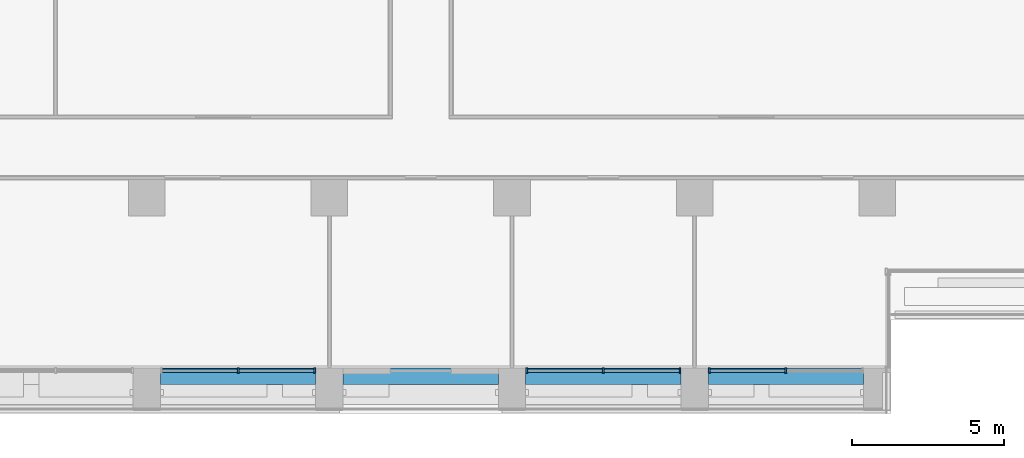
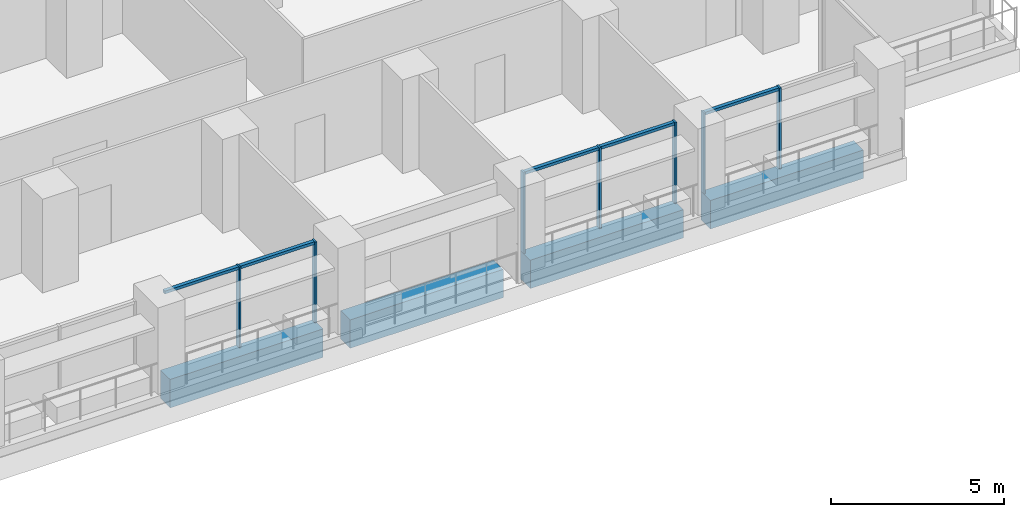
# One storey, part 3 of 19: 12 members, 4 beams, 3 elements without a shape of their own.
"""IFC4 building model written with IfcOpenShell, lengths in metres."""

from ifc_helpers import new_model, si_unit, direction, frame, origin, origin_2d, place, context, subcontext, project, spatial, rectangle, extrude, material, material_profile, profile_set, type_object, element, aggregate, save


model = new_model("IFC4")

# Units and contexts
model_context = context("Model", 3, precision=1e-05, world=origin(), true_north=direction((0.0, 1.0)))
body_context = subcontext(model_context, "Body", "Model", "MODEL_VIEW")
ifc_project = project(units=[si_unit("LENGTHUNIT", "METRE"), si_unit("AREAUNIT", "SQUARE_METRE"), si_unit("VOLUMEUNIT", "CUBIC_METRE"), si_unit("PLANEANGLEUNIT", "RADIAN"), si_unit("MASSUNIT", "GRAM", prefix="KILO")], contexts=[model_context])

# Site, building, storey
site_placement = place(None, origin())
site = spatial("IfcSite", under=ifc_project, at=site_placement, CompositionType="ELEMENT")
building_placement = place(site_placement, origin())
building = spatial("IfcBuilding", under=site, at=building_placement, Name="Calvaro Tower", CompositionType="ELEMENT")
storey_placement = place(building_placement, frame((0.0, 0.0, 166.75)))
storey = spatial("IfcBuildingStorey", under=building, at=storey_placement, Name="L41", CompositionType="ELEMENT", Elevation=166.75)

# Curtain wall, members
ifc_material_1 = material(Name="Anodised aluminium", Category="aluminium")
curtain_wall_type = type_object("IfcCurtainWallType", Name="Office curtain wall, upper zone", PredefinedType="NOTDEFINED", material=ifc_material_1)
curtain_wall_1_placement = place(storey_placement, origin())
curtain_wall_1 = element("IfcCurtainWall", 1, at=curtain_wall_1_placement, inside=storey, type_object=curtain_wall_type, Name="CW3 south curtain wall", PredefinedType="NOTDEFINED")
ifc_material_2 = material(Name="Anodised aluminium", Category="aluminium")
ifc_material_profile_1 = material_profile(ifc_material_2, rectangle(XDim=0.179931640625, YDim=0.06005859375, at=origin_2d()), Name="Mullion S3 60 x 180")
ifc_profile_set_1 = profile_set([ifc_material_profile_1], Name="Anodised aluminium")
member_type_1 = type_object("IfcMemberType", Name="Mullion S3 60 x 180", PredefinedType="MULLION", material=ifc_profile_set_1)
member_1_placement = place(storey_placement, frame((45.0, 4.31005859375, 0.0), z_axis=(0.0, 0.0, 1.0), x_axis=(0.0, 1.0, 0.0)))
member_1 = element("IfcMember", 2, at=member_1_placement, type_object=member_type_1, Name="CW3 mullion 2", PredefinedType="MULLION", context=body_context, shape_type="SweptSolid", body=[
    extrude(rectangle(XDim=0.179931640625, YDim=0.06005859375, at=origin_2d()), origin(), (0.0, 0.0, 1.0), 2.85009765625),
])
member_2_placement = place(storey_placement, frame((47.52001953125, 4.31005859375, 0.0), z_axis=(0.0, 0.0, 1.0), x_axis=(0.0, 1.0, 0.0)))
member_2 = element("IfcMember", 3, at=member_2_placement, type_object=member_type_1, Name="CW3 mullion 3", PredefinedType="MULLION", context=body_context, shape_type="SweptSolid", body=[
    extrude(rectangle(XDim=0.179931640625, YDim=0.06005859375, at=origin_2d()), origin(), (0.0, 0.0, 1.0), 2.85009765625),
])

curtain_wall_2_placement = place(storey_placement, origin())
curtain_wall_2 = element("IfcCurtainWall", 4, at=curtain_wall_2_placement, inside=storey, type_object=curtain_wall_type, Name="CW3 south curtain wall", PredefinedType="NOTDEFINED")
member_3_placement = place(storey_placement, frame((54.47998046875, 4.31005859375, 0.0), z_axis=(0.0, 0.0, 1.0), x_axis=(0.0, 1.0, 0.0)))
member_3 = element("IfcMember", 5, at=member_3_placement, type_object=member_type_1, Name="CW3 mullion 1", PredefinedType="MULLION", context=body_context, shape_type="SweptSolid", body=[
    extrude(rectangle(XDim=0.179931640625, YDim=0.06005859375, at=origin_2d()), origin(), (0.0, 0.0, 1.0), 2.85009765625),
])
member_4_placement = place(storey_placement, frame((57.0, 4.31005859375, 0.0), z_axis=(0.0, 0.0, 1.0), x_axis=(0.0, 1.0, 0.0)))
member_4 = element("IfcMember", 6, at=member_4_placement, type_object=member_type_1, Name="CW3 mullion 2", PredefinedType="MULLION", context=body_context, shape_type="SweptSolid", body=[
    extrude(rectangle(XDim=0.179931640625, YDim=0.06005859375, at=origin_2d()), origin(), (0.0, 0.0, 1.0), 2.85009765625),
])
member_5_placement = place(storey_placement, frame((59.52001953125, 4.31005859375, 0.0), z_axis=(0.0, 0.0, 1.0), x_axis=(0.0, 1.0, 0.0)))
member_5 = element("IfcMember", 7, at=member_5_placement, type_object=member_type_1, Name="CW3 mullion 3", PredefinedType="MULLION", context=body_context, shape_type="SweptSolid", body=[
    extrude(rectangle(XDim=0.179931640625, YDim=0.06005859375, at=origin_2d()), origin(), (0.0, 0.0, 1.0), 2.85009765625),
])

curtain_wall_3_placement = place(storey_placement, origin())
curtain_wall_3 = element("IfcCurtainWall", 8, at=curtain_wall_3_placement, inside=storey, type_object=curtain_wall_type, Name="CW3 south curtain wall", PredefinedType="NOTDEFINED")
member_6_placement = place(storey_placement, frame((60.47998046875, 4.31005859375, 0.0), z_axis=(0.0, 0.0, 1.0), x_axis=(0.0, 1.0, 0.0)))
member_6 = element("IfcMember", 9, at=member_6_placement, type_object=member_type_1, Name="CW3 mullion 1", PredefinedType="MULLION", context=body_context, shape_type="SweptSolid", body=[
    extrude(rectangle(XDim=0.179931640625, YDim=0.06005859375, at=origin_2d()), origin(), (0.0, 0.0, 1.0), 2.85009765625),
])
member_7_placement = place(storey_placement, frame((63.0, 4.31005859375, 0.0), z_axis=(0.0, 0.0, 1.0), x_axis=(0.0, 1.0, 0.0)))
member_7 = element("IfcMember", 10, at=member_7_placement, type_object=member_type_1, Name="CW3 mullion 2", PredefinedType="MULLION", context=body_context, shape_type="SweptSolid", body=[
    extrude(rectangle(XDim=0.179931640625, YDim=0.06005859375, at=origin_2d()), origin(), (0.0, 0.0, 1.0), 2.85009765625),
])

# Beams
ifc_material_3 = material(Name="Concrete C50/60 precast", Category="concrete")
ifc_material_profile_2 = material_profile(ifc_material_3, rectangle(XDim=0.550048828125, YDim=1.0, at=origin_2d()), Name="RC 550x1000")
ifc_profile_set_2 = profile_set([ifc_material_profile_2], Name="Concrete C50/60 precast")
beam_type = type_object("IfcBeamType", Name="Spandrel beam 550x1000 C50/60", PredefinedType="SPANDREL", material=ifc_profile_set_2)
for number, where, z_axis, x_axis, name in (
    (11, (42.449951171875, 4.125, -0.5), (1.0, 0.0, 0.0), (0.0, 1.0, 0.0), "Spandrel beam"),
    (12, (48.449951171875, 4.125, -0.5), (1.0, 0.0, 0.0), (0.0, 1.0, 0.0), "Spandrel beam"),
    (13, (54.449951171875, 4.125, -0.5), (1.0, 0.0, 0.0), (0.0, 1.0, 0.0), "Spandrel beam"),
    (14, (60.449951171875, 4.125, -0.5), (1.0, 0.0, 0.0), (0.0, 1.0, 0.0), "Spandrel beam"),
):
    element("IfcBeam", number, at=place(storey_placement, frame(where, z_axis=z_axis, x_axis=x_axis)), inside=storey, type_object=beam_type, Name=name, PredefinedType="SPANDREL", context=body_context, shape_type="SweptSolid", body=[
        extrude(rectangle(XDim=0.550048828125, YDim=1.0, at=origin_2d()), origin(), (0.0, 0.0, 1.0), 5.10009765625),
    ])

# Member
ifc_material_4 = material(Name="Anodised aluminium", Category="aluminium")
ifc_material_profile_3 = material_profile(ifc_material_4, rectangle(XDim=0.1201171875, YDim=0.10009765625, at=origin_2d()), Name="Transom S3 100 x 120")
ifc_profile_set_3 = profile_set([ifc_material_profile_3], Name="Anodised aluminium")
member_type_2 = type_object("IfcMemberType", Name="Transom S3 100 x 120", PredefinedType="USERDEFINED", material=ifc_profile_set_3)
member_8_placement = place(storey_placement, frame((42.510009765625, 4.31005859375, 2.800048828125), z_axis=(1.0, 0.0, 0.0), x_axis=(0.0, 1.0, 0.0)))
member_8 = element("IfcMember", 15, at=member_8_placement, type_object=member_type_2, Name="CW3 transom 1.1", ObjectType="TRANSOM", PredefinedType="USERDEFINED", context=body_context, shape_type="SweptSolid", body=[
    extrude(rectangle(XDim=0.1201171875, YDim=0.10009765625, at=origin_2d()), origin(), (0.0, 0.0, 1.0), 2.4599609375),
])

member_9_placement = place(storey_placement, frame((45.030029296875, 4.31005859375, 2.800048828125), z_axis=(1.0, 0.0, 0.0), x_axis=(0.0, 1.0, 0.0)))
member_9 = element("IfcMember", 16, at=member_9_placement, type_object=member_type_2, Name="CW3 transom 2.1", ObjectType="TRANSOM", PredefinedType="USERDEFINED", context=body_context, shape_type="SweptSolid", body=[
    extrude(rectangle(XDim=0.1201171875, YDim=0.10009765625, at=origin_2d()), origin(), (0.0, 0.0, 1.0), 2.4599609375),
])

aggregate(curtain_wall_1, [member_1, member_2, member_8, member_9])

member_10_placement = place(storey_placement, frame((54.510009765625, 4.31005859375, 2.800048828125), z_axis=(1.0, 0.0, 0.0), x_axis=(0.0, 1.0, 0.0)))
member_10 = element("IfcMember", 17, at=member_10_placement, type_object=member_type_2, Name="CW3 transom 1.1", ObjectType="TRANSOM", PredefinedType="USERDEFINED", context=body_context, shape_type="SweptSolid", body=[
    extrude(rectangle(XDim=0.1201171875, YDim=0.10009765625, at=origin_2d()), origin(), (0.0, 0.0, 1.0), 2.4599609375),
])

member_11_placement = place(storey_placement, frame((57.030029296875, 4.31005859375, 2.800048828125), z_axis=(1.0, 0.0, 0.0), x_axis=(0.0, 1.0, 0.0)))
member_11 = element("IfcMember", 18, at=member_11_placement, type_object=member_type_2, Name="CW3 transom 2.1", ObjectType="TRANSOM", PredefinedType="USERDEFINED", context=body_context, shape_type="SweptSolid", body=[
    extrude(rectangle(XDim=0.1201171875, YDim=0.10009765625, at=origin_2d()), origin(), (0.0, 0.0, 1.0), 2.4599609375),
])

aggregate(curtain_wall_2, [member_3, member_4, member_5, member_10, member_11])

member_12_placement = place(storey_placement, frame((60.510009765625, 4.31005859375, 2.800048828125), z_axis=(1.0, 0.0, 0.0), x_axis=(0.0, 1.0, 0.0)))
member_12 = element("IfcMember", 19, at=member_12_placement, type_object=member_type_2, Name="CW3 transom 1.1", ObjectType="TRANSOM", PredefinedType="USERDEFINED", context=body_context, shape_type="SweptSolid", body=[
    extrude(rectangle(XDim=0.1201171875, YDim=0.10009765625, at=origin_2d()), origin(), (0.0, 0.0, 1.0), 2.4599609375),
])

aggregate(curtain_wall_3, [member_6, member_7, member_12])

save(model, "model.ifc")
